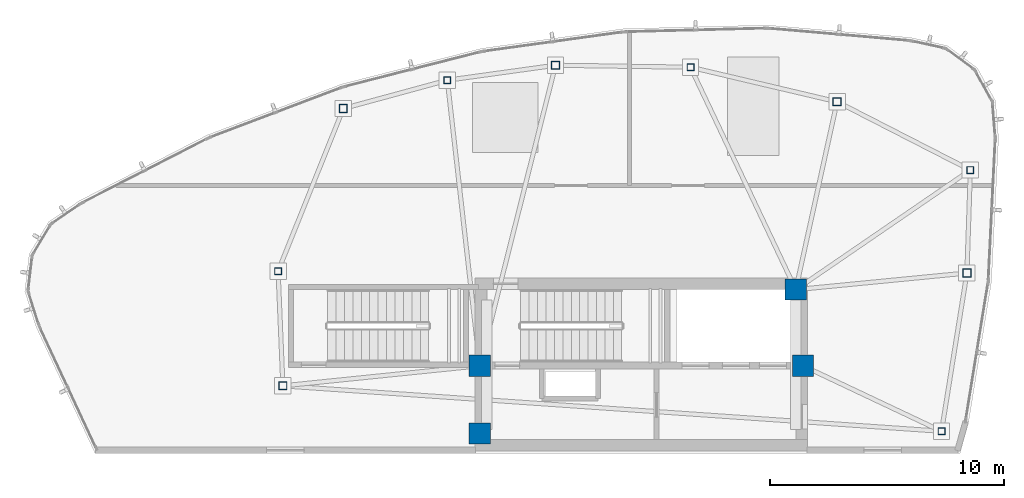
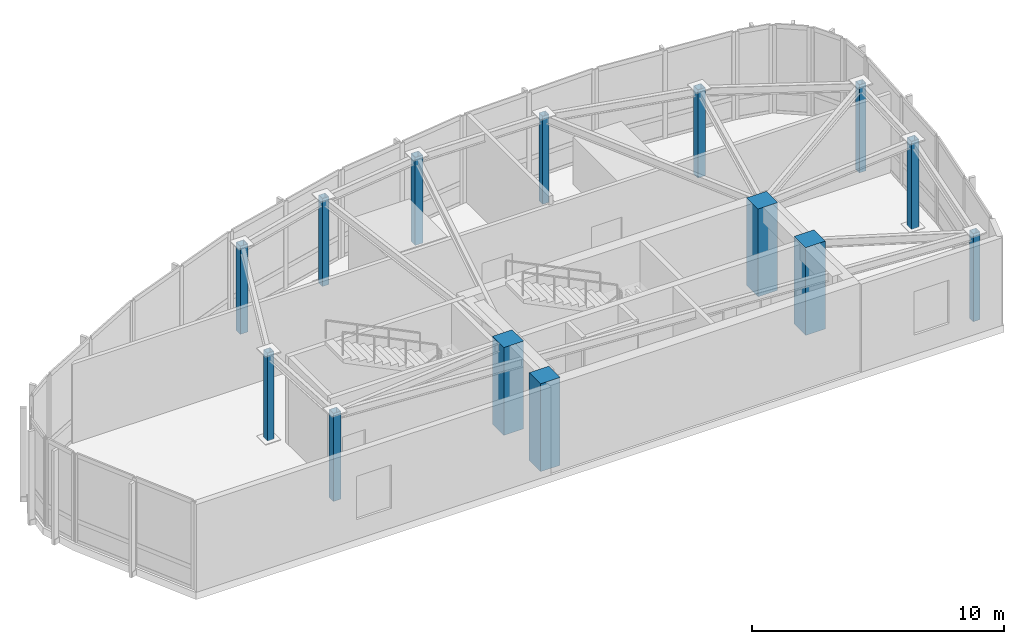
# One storey, part 1 of 10: 14 columns.
"""IFC4 building model written with IfcOpenShell, lengths in metres."""

from ifc_helpers import new_model, si_unit, direction, frame, origin, origin_2d, place, context, subcontext, project, spatial, rectangle, hollow_rectangle, extrude, material, material_profile, profile_set, type_object, element, save


model = new_model("IFC4")

# Units and contexts
model_context = context("Model", 3, precision=1e-05, world=origin(), true_north=direction((0.0, 1.0)))
body_context = subcontext(model_context, "Body", "Model", "MODEL_VIEW")
ifc_project = project(units=[si_unit("LENGTHUNIT", "METRE"), si_unit("AREAUNIT", "SQUARE_METRE"), si_unit("VOLUMEUNIT", "CUBIC_METRE"), si_unit("PLANEANGLEUNIT", "RADIAN"), si_unit("MASSUNIT", "GRAM", prefix="KILO")], contexts=[model_context])

# Site, building, storey
site_placement = place(None, origin())
site = spatial("IfcSite", under=ifc_project, at=site_placement, CompositionType="ELEMENT")
building_placement = place(site_placement, origin())
building = spatial("IfcBuilding", under=site, at=building_placement, Name="Tavelor Broadcast Tower", CompositionType="ELEMENT")
storey_placement = place(building_placement, frame((0.0, 0.0, 350.5)))
storey = spatial("IfcBuildingStorey", under=building, at=storey_placement, Name="L83", CompositionType="ELEMENT", Elevation=350.5)

# Columns
ifc_material_1 = material(Name="Concrete C50/60", Category="concrete")
ifc_material_profile_1 = material_profile(ifc_material_1, rectangle(XDim=0.89990234375, YDim=0.89990234375, at=origin_2d()), Name="RC 900x900")
ifc_profile_set_1 = profile_set([ifc_material_profile_1], Name="Concrete C50/60")
column_type_1 = type_object("IfcColumnType", Name="Core Embedded Composite Column RC900", PredefinedType="COLUMN", material=ifc_profile_set_1)
for number, where, z_axis, x_axis, name in (
    (1, (43.10009765625, 47.949951171875, 0.0), (0.0, 0.0, 1.0), (1.0, 0.0, 0.0), "L83 Core Embedded Column 1"),
    (2, (56.89990234375, 47.949951171875, 0.0), (0.0, 0.0, 1.0), (1.0, 0.0, 0.0), "L83 Core Embedded Column 2"),
    (3, (56.60009765625, 51.199951171875, 0.0), (0.0, 0.0, 1.0), (1.0, 0.0, 0.0), "L83 Core Embedded Column 3"),
    (4, (43.10009765625, 45.050048828125, 0.0), (0.0, 0.0, 1.0), (1.0, 0.0, 0.0), "L83 Core Embedded Column 4"),
):
    element("IfcColumn", number, at=place(storey_placement, frame(where, z_axis=z_axis, x_axis=x_axis)), inside=storey, type_object=column_type_1, Name=name, PredefinedType="COLUMN", context=body_context, shape_type="SweptSolid", body=[
        extrude(rectangle(XDim=0.89990234375, YDim=0.89990234375, at=origin_2d()), origin(), (0.0, 0.0, 1.0), 4.25),
    ])
ifc_material_2 = material(Name="Steel S355", Category="steel")
ifc_material_profile_2 = material_profile(ifc_material_2, hollow_rectangle(XDim=0.35009765625, YDim=0.35009765625, WallThickness=0.02001953125, at=origin_2d()), Name="SHS 350x350x20")
ifc_profile_set_2 = profile_set([ifc_material_profile_2], Name="Steel S355")
column_type_2 = type_object("IfcColumnType", Name="Crown Frame Column SHS350", PredefinedType="COLUMN", material=ifc_profile_set_2)
for number, where, z_axis, x_axis, name in (
    (5, (37.27294921875, 58.9375, 0.0), (0.0, 0.0, 1.0), (1.0, 0.0, 0.0), "L83 Crown Peak A Frame Column 1"),
    (6, (34.690673828125, 47.090087890625, 0.0), (0.0, 0.0, 1.0), (1.0, 0.0, 0.0), "L83 Crown Peak A Frame Column 3"),
    (7, (63.910888671875, 51.91064453125, 0.0), (0.0, 0.0, 1.0), (1.0, 0.0, 0.0), "L83 Crown Peak A Frame Column 5"),
    (8, (58.364013671875, 59.226318359375, 0.0), (0.0, 0.0, 1.0), (1.0, 0.0, 0.0), "L83 Crown Peak A Frame Column 7"),
    (9, (46.337158203125, 60.786865234375, 0.0), (0.0, 0.0, 1.0), (1.0, 0.0, 0.0), "L83 Crown Peak A Frame Column 9"),
):
    element("IfcColumn", number, at=place(storey_placement, frame(where, z_axis=z_axis, x_axis=x_axis)), inside=storey, type_object=column_type_2, Name=name, PredefinedType="COLUMN", context=body_context, shape_type="SweptSolid", body=[
        extrude(hollow_rectangle(XDim=0.35009765625, YDim=0.35009765625, WallThickness=0.02001953125, at=origin_2d()), origin(), (0.0, 0.0, 1.0), 4.25),
    ])
ifc_material_profile_3 = material_profile(ifc_material_2, hollow_rectangle(XDim=0.300048828125, YDim=0.300048828125, WallThickness=0.01611328125, at=origin_2d()), Name="SHS 300x300x16")
ifc_profile_set_3 = profile_set([ifc_material_profile_3], Name="Steel S355")
column_type_3 = type_object("IfcColumnType", Name="Crown Secondary Post SHS300", PredefinedType="COLUMN", material=ifc_profile_set_3)
for number, where, z_axis, x_axis, name in (
    (10, (34.4853515625, 51.989013671875, 0.0), (0.0, 0.0, 1.0), (1.0, 0.0, 0.0), "L83 Crown Peak A Frame Column 2"),
    (11, (62.826416015625, 45.14990234375, 0.0), (0.0, 0.0, 1.0), (1.0, 0.0, 0.0), "L83 Crown Peak A Frame Column 4"),
    (12, (64.058349609375, 56.30859375, 0.0), (0.0, 0.0, 1.0), (1.0, 0.0, 0.0), "L83 Crown Peak A Frame Column 6"),
    (13, (52.10400390625, 60.701416015625, 0.0), (0.0, 0.0, 1.0), (1.0, 0.0, 0.0), "L83 Crown Peak A Frame Column 8"),
    (14, (41.715087890625, 60.145751953125, 0.0), (0.0, 0.0, 1.0), (1.0, 0.0, 0.0), "L83 Crown Peak A Frame Column 10"),
):
    element("IfcColumn", number, at=place(storey_placement, frame(where, z_axis=z_axis, x_axis=x_axis)), inside=storey, type_object=column_type_3, Name=name, PredefinedType="COLUMN", context=body_context, shape_type="SweptSolid", body=[
        extrude(hollow_rectangle(XDim=0.300048828125, YDim=0.300048828125, WallThickness=0.01611328125, at=origin_2d()), origin(), (0.0, 0.0, 1.0), 4.25),
    ])

save(model, "model.ifc")
